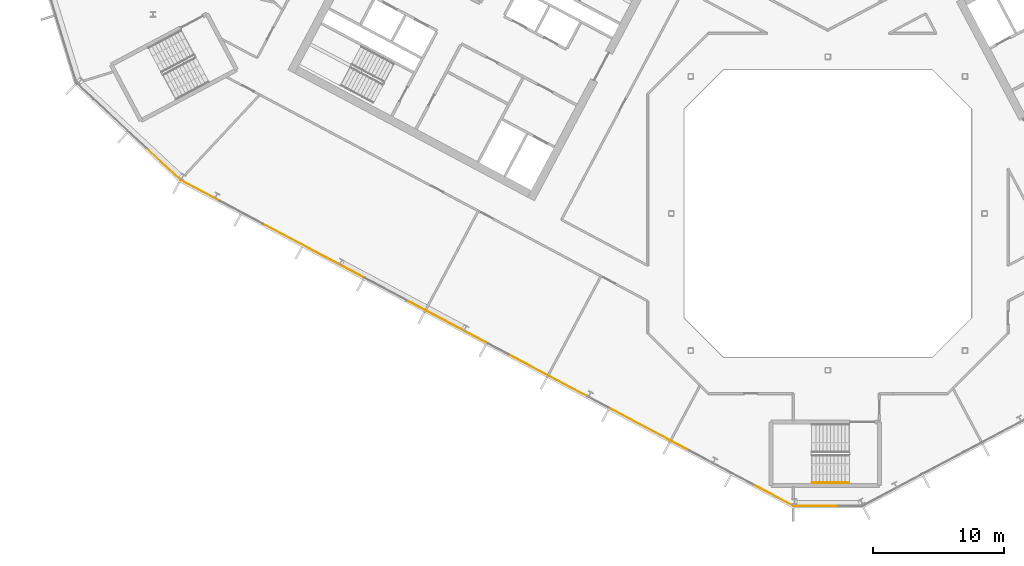
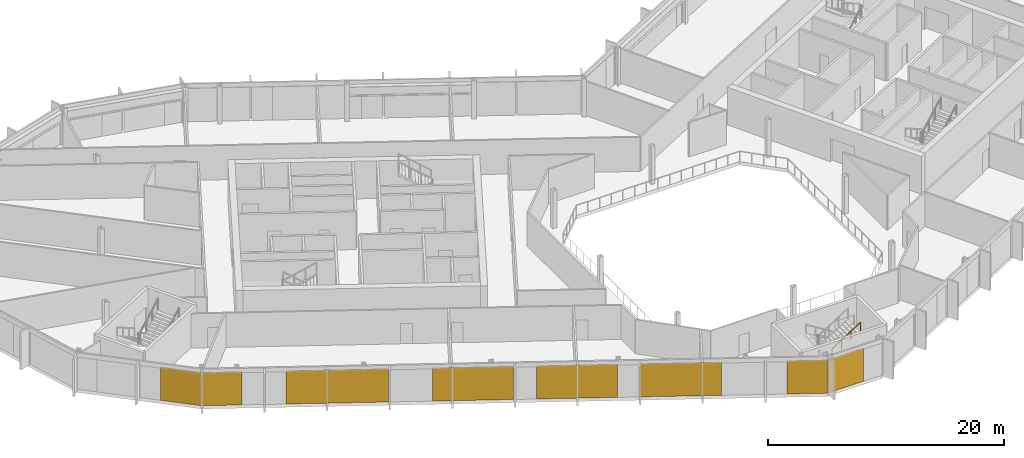
# One storey, part 18 of 26: 8 coverings, 1 railing, 3 elements without a shape of their own.
"""IFC4 building model written with IfcOpenShell, lengths in metres."""

from ifc_helpers import new_model, si_unit, direction, frame, origin, origin_2d, place, context, subcontext, project, spatial, polyline, rectangle, outline, extrude, material, layer, layer_set, type_object, element, aggregate, save


model = new_model("IFC4")

# Units and contexts
model_context = context("Model", 3, precision=1e-05, world=origin(), true_north=direction((0.0, 1.0)))
body_context = subcontext(model_context, "Body", "Model", "MODEL_VIEW")
ifc_project = project(units=[si_unit("LENGTHUNIT", "METRE"), si_unit("AREAUNIT", "SQUARE_METRE"), si_unit("VOLUMEUNIT", "CUBIC_METRE"), si_unit("PLANEANGLEUNIT", "RADIAN"), si_unit("MASSUNIT", "GRAM", prefix="KILO")], contexts=[model_context])

# Site, building, storey
site_placement = place(None, origin())
site = spatial("IfcSite", under=ifc_project, at=site_placement, CompositionType="ELEMENT")
building_placement = place(site_placement, origin())
building = spatial("IfcBuilding", under=site, at=building_placement, Name="Cormorant Relay Tower", CompositionType="ELEMENT")
storey_placement = place(building_placement, frame((0.0, 0.0, 205.199951171875)))
storey = spatial("IfcBuildingStorey", under=building, at=storey_placement, Name="L44", CompositionType="ELEMENT", Elevation=205.199951171875)

# Curtain wall, covering
ifc_material_1 = material(Name="Aluminium 6063-T6 anodised bronze", Category="aluminium")
ifc_layer_1 = layer(ifc_material_1, 0.199951171875)
ifc_layer_set_1 = layer_set([ifc_layer_1], Name="CW1 unitised bronze curtain wall with vertical fins")
curtain_wall_type = type_object("IfcCurtainWallType", Name="CW1 unitised bronze curtain wall with vertical fins", PredefinedType="NOTDEFINED", material=ifc_layer_set_1)
curtain_wall_1_placement = place(storey_placement, origin())
curtain_wall_1 = element("IfcCurtainWall", 1, at=curtain_wall_1_placement, inside=storey, type_object=curtain_wall_type, Name="CW1 curtain wall 1", PredefinedType="NOTDEFINED")
ifc_material_2 = material(Name="Pale bronze anodised aluminium insulated panel", Category="aluminium")
ifc_layer_2 = layer(ifc_material_2, 0.0400390625)
ifc_layer_set_2 = layer_set([ifc_layer_2], Name="CW1 pale bronze insulated panel 40")
covering_type = type_object("IfcCoveringType", Name="CW1 pale bronze insulated panel 40", PredefinedType="CLADDING", material=ifc_layer_set_2)
covering_1_placement = place(storey_placement, frame((-0.862548828125, -22.3955078125, 0.0), z_axis=(0.0, 0.0, 1.0), x_axis=(1.0, 0.0, 0.0)))
covering_1 = element("IfcCovering", 2, at=covering_1_placement, type_object=covering_type, Name="CW1 panel S00", PredefinedType="CLADDING", context=body_context, shape_type="SweptSolid", body=[
    extrude(rectangle(XDim=3.422607421875, YDim=0.0400390625, at=origin_2d()), origin(), (0.0, 0.0, 1.0), 3.449951171875),
])
aggregate(curtain_wall_1, [covering_1])

curtain_wall_2_placement = place(storey_placement, origin())
curtain_wall_2 = element("IfcCurtainWall", 3, at=curtain_wall_2_placement, inside=storey, type_object=curtain_wall_type, Name="CW1 curtain wall 15", PredefinedType="NOTDEFINED")
covering_2_placement = place(storey_placement, frame((-50.906982421875, 3.78369140625, 0.0), z_axis=(0.0, 0.0, 1.0), x_axis=(0.731353701619, -0.681998360062, 0.0)))
covering_2 = element("IfcCovering", 4, at=covering_2_placement, type_object=covering_type, Name="CW1 panel S03", PredefinedType="CLADDING", context=body_context, shape_type="SweptSolid", body=[
    extrude(rectangle(XDim=3.560302734375, YDim=0.0400390625, at=origin_2d()), origin(), (0.0, 0.0, 1.0), 3.449951171875),
])
aggregate(curtain_wall_2, [covering_2])

# Curtain wall, coverings
curtain_wall_3_placement = place(storey_placement, origin())
curtain_wall_3 = element("IfcCurtainWall", 5, at=curtain_wall_3_placement, inside=storey, type_object=curtain_wall_type, Name="CW1 curtain wall 16", PredefinedType="NOTDEFINED")
covering_3_placement = place(storey_placement, frame((-48.048583984375, 1.7412109375, 0.0), z_axis=(0.0, 0.0, 1.0), x_axis=(0.882947592859, -0.469471562786, 0.0)))
covering_3 = element("IfcCovering", 6, at=covering_3_placement, type_object=covering_type, Name="CW1 panel S00", PredefinedType="CLADDING", context=body_context, shape_type="SweptSolid", body=[
    extrude(rectangle(XDim=3.36669921875, YDim=0.0400390625, at=origin_2d()), origin(), (0.0, 0.0, 1.0), 3.449951171875),
])
covering_4_placement = place(storey_placement, frame((-39.417724609375, -2.847900390625, 0.0), z_axis=(0.0, 0.0, 1.0), x_axis=(0.882947592859, -0.469471562786, 0.0)))
covering_4 = element("IfcCovering", 7, at=covering_4_placement, type_object=covering_type, Name="CW1 panel S03", PredefinedType="CLADDING", context=body_context, shape_type="SweptSolid", body=[
    extrude(rectangle(XDim=8.68310546875, YDim=0.0400390625, at=origin_2d()), origin(), (0.0, 0.0, 1.0), 3.449951171875),
])
covering_5_placement = place(storey_placement, frame((-29.234619140625, -8.26220703125, 0.0), z_axis=(0.0, 0.0, 1.0), x_axis=(0.882947592859, -0.469471562786, 0.0)))
covering_5 = element("IfcCovering", 8, at=covering_5_placement, type_object=covering_type, Name="CW1 panel S05", PredefinedType="CLADDING", context=body_context, shape_type="SweptSolid", body=[
    extrude(rectangle(XDim=6.88330078125, YDim=0.0400390625, at=origin_2d()), origin(), (0.0, 0.0, 1.0), 3.449951171875),
])
covering_6_placement = place(storey_placement, frame((-21.435302734375, -12.4091796875, 0.0), z_axis=(0.0, 0.0, 1.0), x_axis=(0.882947592859, -0.469471562786, 0.0)))
covering_6 = element("IfcCovering", 9, at=covering_6_placement, type_object=covering_type, Name="CW1 panel S07", PredefinedType="CLADDING", context=body_context, shape_type="SweptSolid", body=[
    extrude(rectangle(XDim=6.88330078125, YDim=0.0400390625, at=origin_2d()), origin(), (0.0, 0.0, 1.0), 3.449951171875),
])
covering_7_placement = place(storey_placement, frame((-13.635986328125, -16.55615234375, 0.0), z_axis=(0.0, 0.0, 1.0), x_axis=(0.882947592859, -0.469471562786, 0.0)))
covering_7 = element("IfcCovering", 10, at=covering_7_placement, type_object=covering_type, Name="CW1 panel S09", PredefinedType="CLADDING", context=body_context, shape_type="SweptSolid", body=[
    extrude(rectangle(XDim=6.88330078125, YDim=0.0400390625, at=origin_2d()), origin(), (0.0, 0.0, 1.0), 3.449951171875),
])
covering_8_placement = place(storey_placement, frame((-4.177490234375, -21.58544921875, 0.0), z_axis=(0.0, 0.0, 1.0), x_axis=(0.882947592859, -0.469471562786, 0.0)))
covering_8 = element("IfcCovering", 11, at=covering_8_placement, type_object=covering_type, Name="CW1 panel S12", PredefinedType="CLADDING", context=body_context, shape_type="SweptSolid", body=[
    extrude(rectangle(XDim=3.441650390625, YDim=0.0400390625, at=origin_2d()), origin(), (0.0, 0.0, 1.0), 3.449951171875),
])
aggregate(curtain_wall_3, [covering_3, covering_4, covering_5, covering_6, covering_7, covering_8])

# Railing
ifc_material_3 = material(Name="Steel ASTM A572 Grade 50 (Fy 345 MPa)", Category="steel")
railing_type = type_object("IfcRailingType", Name="Stair handrail 900", PredefinedType="HANDRAIL", material=ifc_material_3)
railing_placement = place(storey_placement, frame((-1.199951171875, -20.625, 2.12744140625)))
element("IfcRailing", 12, at=railing_placement, inside=storey, type_object=railing_type, Name="L44 RK1 stair handrail 2", PredefinedType="HANDRAIL", context=body_context, shape_type="SweptSolid", body=[
    extrude(outline(polyline([(0.022216796875, 0.00927734375), (0.00927734375, 0.022216796875), (-0.00927734375, 0.022216796875), (-0.022216796875, 0.00927734375), (-0.022216796875, -0.00927734375), (-0.00927734375, -0.022216796875), (0.00927734375, -0.022216796875), (0.022216796875, -0.00927734375), (0.022216796875, 0.00927734375)])), frame((0.0, 0.0, 0.8759765625), z_axis=(0.844908973607, 0.0, 0.534910110503), x_axis=(0.0, 1.0, 0.0)), (0.0, 0.0, 1.0), 3.31396484375),
    extrude(outline(polyline([(0.019287109375, 0.008056640625), (0.008056640625, 0.019287109375), (-0.008056640625, 0.019287109375), (-0.019287109375, 0.008056640625), (-0.019287109375, -0.008056640625), (-0.008056640625, -0.019287109375), (0.008056640625, -0.019287109375), (0.019287109375, -0.008056640625), (0.019287109375, 0.008056640625)])), origin(), (0.0, 0.0, 1.0), 0.851806640625),
    extrude(outline(polyline([(0.019287109375, 0.008056640625), (0.008056640625, 0.019287109375), (-0.008056640625, 0.019287109375), (-0.019287109375, 0.008056640625), (-0.019287109375, -0.008056640625), (-0.008056640625, -0.019287109375), (0.008056640625, -0.019287109375), (0.019287109375, -0.008056640625), (0.019287109375, 0.008056640625)])), frame((0.933349609375, 0.0, 0.5908203125)), (0.0, 0.0, 1.0), 0.851806640625),
    extrude(outline(polyline([(0.019287109375, 0.008056640625), (0.008056640625, 0.019287109375), (-0.008056640625, 0.019287109375), (-0.019287109375, 0.008056640625), (-0.019287109375, -0.008056640625), (-0.008056640625, -0.019287109375), (0.008056640625, -0.019287109375), (0.019287109375, -0.008056640625), (0.019287109375, 0.008056640625)])), frame((1.86669921875, 0.0, 1.181884765625)), (0.0, 0.0, 1.0), 0.851806640625),
    extrude(outline(polyline([(0.019287109375, 0.008056640625), (0.008056640625, 0.019287109375), (-0.008056640625, 0.019287109375), (-0.019287109375, 0.008056640625), (-0.019287109375, -0.008056640625), (-0.008056640625, -0.019287109375), (0.008056640625, -0.019287109375), (0.019287109375, -0.008056640625), (0.019287109375, 0.008056640625)])), frame((2.800048828125, 0.0, 1.772705078125)), (0.0, 0.0, 1.0), 0.851806640625),
])

save(model, "model.ifc")
